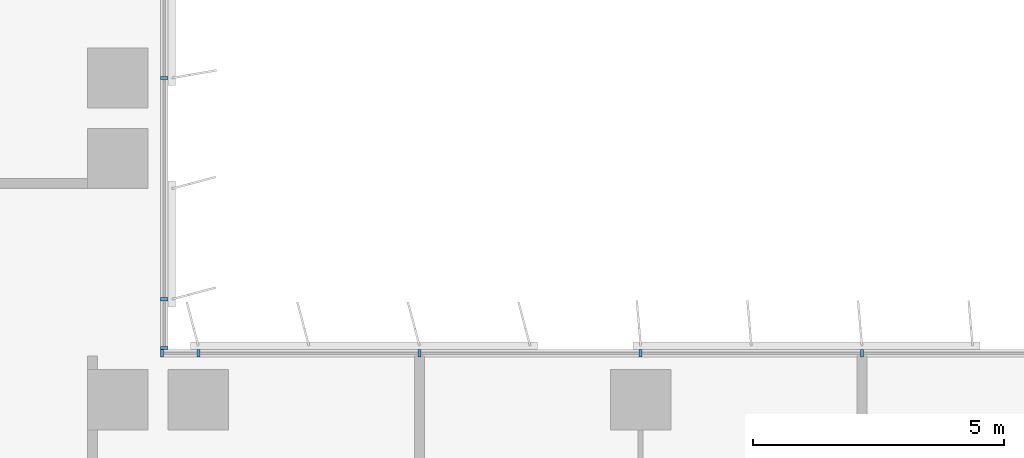
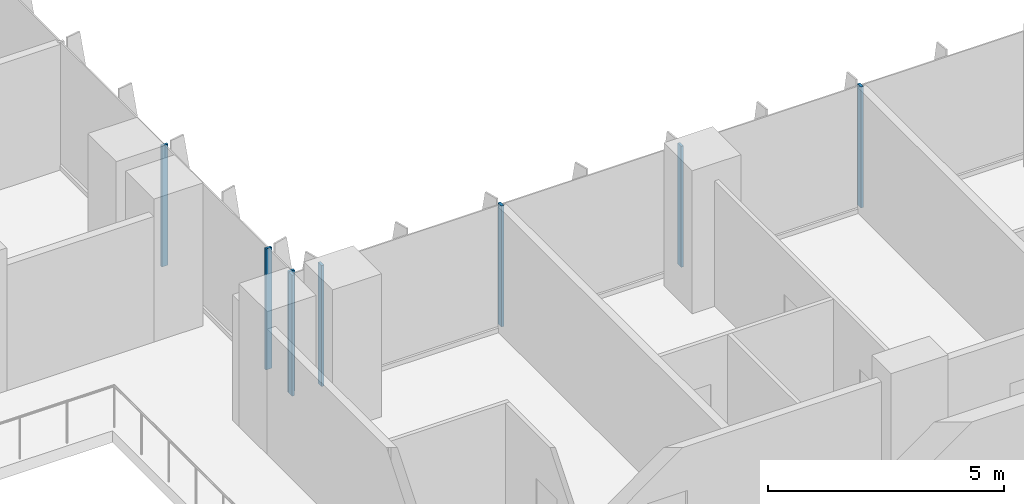
# One storey, part 2 of 22: 8 members, 2 elements without a shape of their own.
"""IFC4 building model written with IfcOpenShell, lengths in metres."""

from ifc_helpers import new_model, si_unit, direction, frame, origin, origin_2d, place, context, subcontext, project, spatial, rectangle, extrude, source, transform, mapped, material, material_profile, profile_set, type_object, element, aggregate, save


model = new_model("IFC4")

# Units and contexts
model_context = context("Model", 3, precision=1e-05, world=origin(), true_north=direction((0.0, 1.0)))
body_context = subcontext(model_context, "Body", "Model", "MODEL_VIEW")
ifc_project = project(units=[si_unit("LENGTHUNIT", "METRE"), si_unit("AREAUNIT", "SQUARE_METRE"), si_unit("VOLUMEUNIT", "CUBIC_METRE"), si_unit("PLANEANGLEUNIT", "RADIAN"), si_unit("MASSUNIT", "GRAM", prefix="KILO")], contexts=[model_context])

# Site, building, storey
site_placement = place(None, origin())
site = spatial("IfcSite", under=ifc_project, at=site_placement, CompositionType="ELEMENT")
building_placement = place(site_placement, origin())
building = spatial("IfcBuilding", under=site, at=building_placement, Name="Kemantara Hotel Tower", CompositionType="ELEMENT")
storey_placement = place(building_placement, frame((0.0, 0.0, 149.39990234375)))
storey = spatial("IfcBuildingStorey", under=building, at=storey_placement, Name="L36", CompositionType="ELEMENT", Elevation=149.39990234375)

# Curtain wall, members
ifc_material_1 = material(Name="Low-E tinted double insulated glass 36 mm", Category="glass")
curtain_wall_type = type_object("IfcCurtainWallType", Name="TOWER CURTAIN WALL, FRONT FACES", PredefinedType="USERDEFINED", material=ifc_material_1)
curtain_wall_1_placement = place(storey_placement, origin())
curtain_wall_1 = element("IfcCurtainWall", 1, at=curtain_wall_1_placement, inside=storey, type_object=curtain_wall_type, Name="CW4 L36 T2-R13-1", ObjectType="TOWER CURTAIN WALL, FRONT FACES", PredefinedType="USERDEFINED")
ifc_material_2 = material(Name="Aluminium 6063-T6 bronze anodised", Category="aluminium")
ifc_material_profile = material_profile(ifc_material_2, rectangle(XDim=0.14990234375, YDim=0.06005859375, at=origin_2d()), Name="TOWER CURTAIN WALL, FRONT FACES MULLION")
ifc_profile_set = profile_set([ifc_material_profile], Name="Aluminium 6063-T6 bronze anodised")
member_type = type_object("IfcMemberType", Name="TOWER CURTAIN WALL, FRONT FACES MULLION", PredefinedType="MULLION", material=ifc_profile_set)
shared_shape = source(origin(), body_context, "Body", "SweptSolid", [
    extrude(rectangle(XDim=0.14990234375, YDim=0.06005859375, at=origin_2d()), origin(), (0.0, 0.0, 1.0), 3.1298828125),
])
member_1_placement = place(storey_placement, frame((40.60009765625, 21.925048828125, 0.1201171875), z_axis=(0.0, 0.0, 1.0), x_axis=(0.0, -1.0, 0.0)))
member_1 = element("IfcMember", 2, at=member_1_placement, type_object=member_type, Name="CW4 mullion T2-R13-1.6", PredefinedType="MULLION", context=body_context, shape_type="MappedRepresentation", body=[
    mapped(shared_shape, transform((0.0, 0.0, 0.0))),
])
member_2_placement = place(storey_placement, frame((36.199951171875, 21.925048828125, 0.1201171875), z_axis=(0.0, 0.0, 1.0), x_axis=(0.0, -1.0, 0.0)))
member_2 = element("IfcMember", 3, at=member_2_placement, type_object=member_type, Name="CW4 mullion T2-R13-1.7", PredefinedType="MULLION", context=body_context, shape_type="MappedRepresentation", body=[
    mapped(shared_shape, transform((0.0, 0.0, 0.0))),
])
member_3_placement = place(storey_placement, frame((31.800048828125, 21.925048828125, 0.1201171875), z_axis=(0.0, 0.0, 1.0), x_axis=(0.0, -1.0, 0.0)))
member_3 = element("IfcMember", 4, at=member_3_placement, type_object=member_type, Name="CW4 mullion T2-R13-1.8", PredefinedType="MULLION", context=body_context, shape_type="MappedRepresentation", body=[
    mapped(shared_shape, transform((0.0, 0.0, 0.0))),
])
member_4_placement = place(storey_placement, frame((27.39990234375, 21.925048828125, 0.1201171875), z_axis=(0.0, 0.0, 1.0), x_axis=(0.0, -1.0, 0.0)))
member_4 = element("IfcMember", 5, at=member_4_placement, type_object=member_type, Name="CW4 mullion T2-R13-1.9", PredefinedType="MULLION", context=body_context, shape_type="MappedRepresentation", body=[
    mapped(shared_shape, transform((0.0, 0.0, 0.0))),
])
member_5_placement = place(storey_placement, frame((26.679931640625, 21.925048828125, 0.1201171875), z_axis=(0.0, 0.0, 1.0), x_axis=(0.0, -1.0, 0.0)))
member_5 = element("IfcMember", 6, at=member_5_placement, type_object=member_type, Name="CW4 mullion T2-R13-1.10", PredefinedType="MULLION", context=body_context, shape_type="MappedRepresentation", body=[
    mapped(shared_shape, transform((0.0, 0.0, 0.0))),
])
aggregate(curtain_wall_1, [member_1, member_2, member_3, member_4, member_5])

curtain_wall_2_placement = place(storey_placement, origin())
curtain_wall_2 = element("IfcCurtainWall", 7, at=curtain_wall_2_placement, inside=storey, type_object=curtain_wall_type, Name="CW4 L36 T2-R14-1", ObjectType="TOWER CURTAIN WALL, FRONT FACES", PredefinedType="USERDEFINED")
member_6_placement = place(storey_placement, frame((26.72509765625, 22.030029296875, 0.1201171875), z_axis=(0.0, 0.0, 1.0), x_axis=(-1.0, 0.0, 0.0)))
member_6 = element("IfcMember", 8, at=member_6_placement, type_object=member_type, Name="CW4 mullion T2-R14-1.1", PredefinedType="MULLION", context=body_context, shape_type="MappedRepresentation", body=[
    mapped(shared_shape, transform((0.0, 0.0, 0.0))),
])
member_7_placement = place(storey_placement, frame((26.72509765625, 23.0, 0.1201171875), z_axis=(0.0, 0.0, 1.0), x_axis=(-1.0, 0.0, 0.0)))
member_7 = element("IfcMember", 9, at=member_7_placement, type_object=member_type, Name="CW4 mullion T2-R14-1.2", PredefinedType="MULLION", context=body_context, shape_type="MappedRepresentation", body=[
    mapped(shared_shape, transform((0.0, 0.0, 0.0))),
])
member_8_placement = place(storey_placement, frame((26.72509765625, 27.39990234375, 0.1201171875), z_axis=(0.0, 0.0, 1.0), x_axis=(-1.0, 0.0, 0.0)))
member_8 = element("IfcMember", 10, at=member_8_placement, type_object=member_type, Name="CW4 mullion T2-R14-1.3", PredefinedType="MULLION", context=body_context, shape_type="MappedRepresentation", body=[
    mapped(shared_shape, transform((0.0, 0.0, 0.0))),
])
aggregate(curtain_wall_2, [member_6, member_7, member_8])

save(model, "model.ifc")
